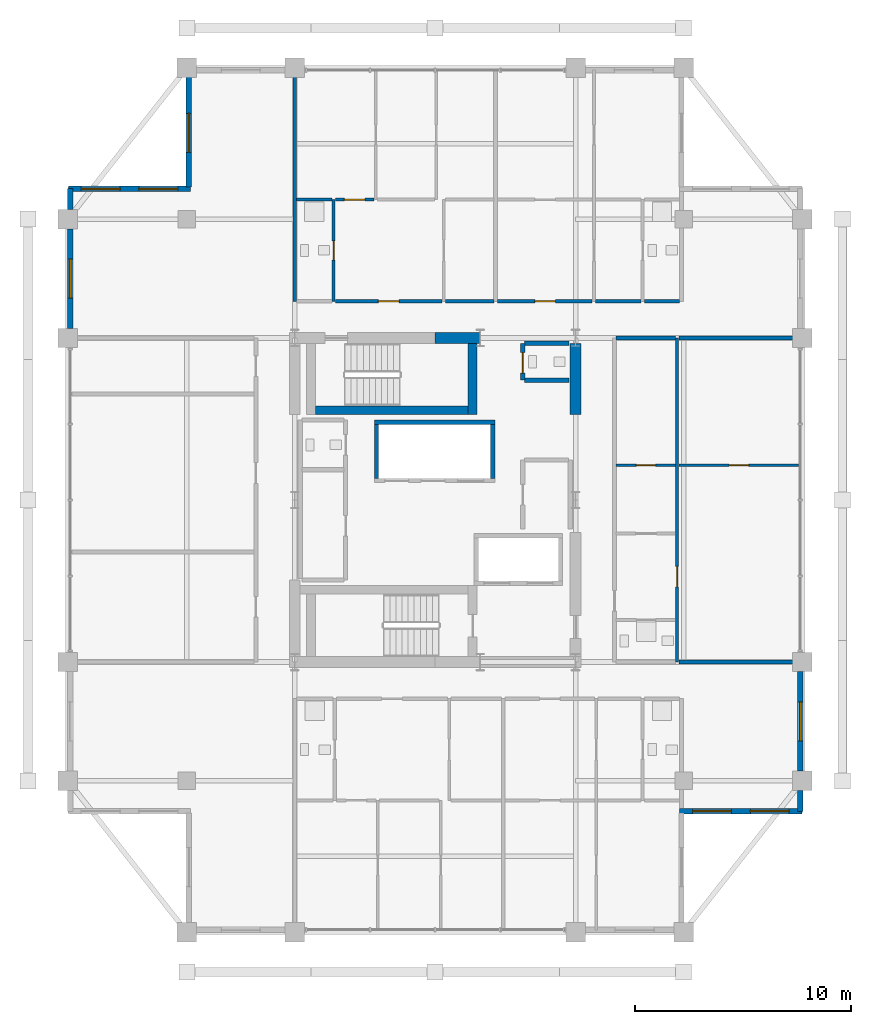
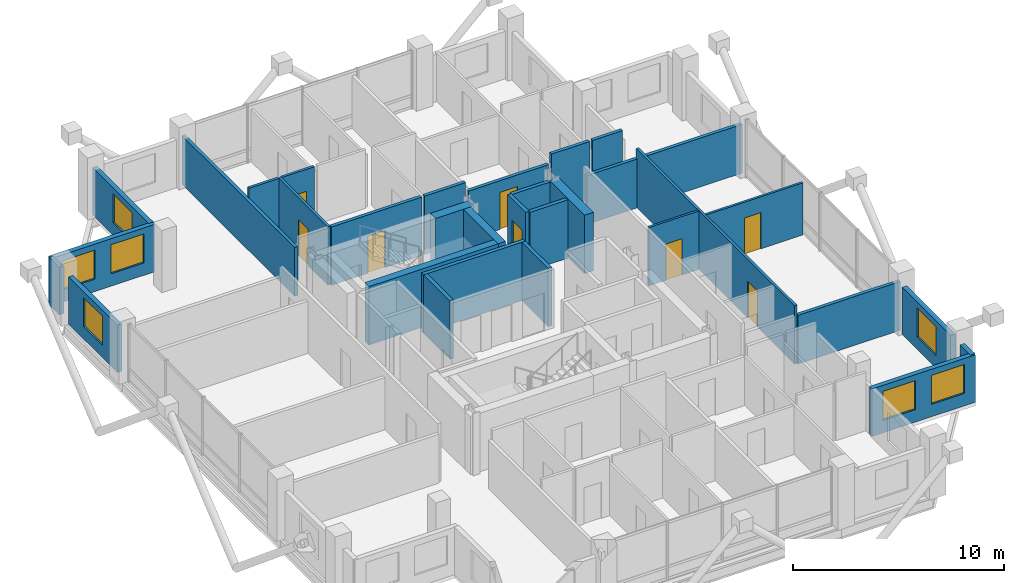
# One storey, part 20 of 23: 32 walls, 8 doors, 7 windows, 15 openings.
"""IFC4 building model written with IfcOpenShell, lengths in metres."""

from ifc_helpers import new_model, si_unit, direction, frame, frame_2d, origin, place, context, subcontext, project, spatial, rectangle, extrude, material, layer, layer_set, type_object, element, fill, save


model = new_model("IFC4")

# Units and contexts
model_context = context("Model", 3, precision=1e-05, world=origin(), true_north=direction((0.0, 1.0)))
body_context = subcontext(model_context, "Body", "Model", "MODEL_VIEW")
ifc_project = project(units=[si_unit("LENGTHUNIT", "METRE"), si_unit("AREAUNIT", "SQUARE_METRE"), si_unit("VOLUMEUNIT", "CUBIC_METRE"), si_unit("PLANEANGLEUNIT", "RADIAN"), si_unit("MASSUNIT", "GRAM", prefix="KILO")], contexts=[model_context])

# Site, building, storey
site_placement = place(None, origin())
site = spatial("IfcSite", under=ifc_project, at=site_placement, CompositionType="ELEMENT")
building_placement = place(site_placement, origin())
building = spatial("IfcBuilding", under=site, at=building_placement, Name="Barlavira Tower and Art Museum", CompositionType="ELEMENT")
storey_placement = place(building_placement, frame((0.0, 0.0, 236.699951171875)))
storey = spatial("IfcBuildingStorey", under=building, at=storey_placement, Name="L61", CompositionType="ELEMENT", Elevation=236.699951171875)

# Wall, opening, door
ifc_material_1 = material(Name="Gypsum acoustic stud partition", Category="gypsum")
ifc_layer_1 = layer(ifc_material_1, 0.1201171875, Name="Gypsum acoustic stud partition")
ifc_layer_set_1 = layer_set([ifc_layer_1], Name="Gypsum acoustic stud partition")
wall_type_1 = type_object("IfcWallType", Name="Apartment Internal Acoustic Partition 120", PredefinedType="PARTITIONING", material=ifc_layer_set_1)
wall_1_placement = place(storey_placement, frame((8.3798828125, 1.60009765625, 0.0), z_axis=(0.0, 0.0, 1.0), x_axis=(1.0, 0.0, 0.0)))
wall_1 = element("IfcWall", 1, at=wall_1_placement, inside=storey, type_object=wall_type_1, Name="L61 Partition Wall 48", PredefinedType="PARTITIONING", context=body_context, shape_type="SweptSolid", body=[
    extrude(rectangle(XDim=2.740234375, YDim=0.1201171875, at=frame_2d((1.3701171875, 0.0))), origin(), (0.0, 0.0, 1.0), 3.380126953125),
])
opening_1_placement = place(wall_1_placement, frame((0.929931640625, 0.0, 0.0)))
opening_1 = element("IfcOpeningElement", 2, at=opening_1_placement, cuts=wall_1, Name="Opening D-01", PredefinedType="OPENING", context=body_context, shape_type="SweptSolid", body=[
    extrude(rectangle(XDim=0.89990234375, YDim=2.10009765625, at=frame_2d((0.449951171875, 1.050048828125))), frame((0.0, 0.070068359375, 0.0), z_axis=(0.0, -1.0, 0.0), x_axis=(1.0, 0.0, 0.0)), (0.0, 0.0, 1.0), 0.14013671875),
])
ifc_material_2 = material(Name="Engineered coastal hardwood", Category="wood")
door_type_1 = type_object("IfcDoorType", Name="Internal Bedroom Timber Flush Door 900x2100", OperationType="NOTDEFINED", PredefinedType="DOOR", material=ifc_material_2)
door_1_placement = place(opening_1_placement, origin())
door_1 = element("IfcDoor", 3, at=door_1_placement, inside=storey, type_object=door_type_1, Name="Apartment E1 Walk-In Dressing Room Door", OperationType="SINGLE_SWING_RIGHT", OverallHeight=2.10009765625, OverallWidth=0.89990234375, PredefinedType="DOOR", context=body_context, shape_type="SweptSolid", body=[
    extrude(rectangle(XDim=0.89990234375, YDim=2.10009765625, at=frame_2d((0.449951171875, 1.050048828125))), frame((0.0, 0.02490234375, 0.0), z_axis=(0.0, -1.0, 0.0), x_axis=(1.0, 0.0, 0.0)), (0.0, 0.0, 1.0), 0.050048828125),
])
fill(opening_1, door_1)

wall_2_placement = place(storey_placement, frame((11.280029296875, 1.60009765625, 0.0), z_axis=(0.0, 0.0, 1.0), x_axis=(1.0, 0.0, 0.0)))
wall_2 = element("IfcWall", 4, at=wall_2_placement, inside=storey, type_object=wall_type_1, Name="L61 Partition Wall 49", PredefinedType="PARTITIONING", context=body_context, shape_type="SweptSolid", body=[
    extrude(rectangle(XDim=5.5400390625, YDim=0.1201171875, at=frame_2d((2.77001953125, 0.0))), origin(), (0.0, 0.0, 1.0), 3.01806640625),
])
opening_2_placement = place(wall_2_placement, frame((2.330078125, 0.0, 0.0)))
opening_2 = element("IfcOpeningElement", 5, at=opening_2_placement, cuts=wall_2, Name="Opening D-01", PredefinedType="OPENING", context=body_context, shape_type="SweptSolid", body=[
    extrude(rectangle(XDim=0.89990234375, YDim=2.10009765625, at=frame_2d((0.449951171875, 1.050048828125))), frame((0.0, 0.070068359375, 0.0), z_axis=(0.0, -1.0, 0.0), x_axis=(1.0, 0.0, 0.0)), (0.0, 0.0, 1.0), 0.14013671875),
])
door_2_placement = place(opening_2_placement, origin())
door_2 = element("IfcDoor", 6, at=door_2_placement, inside=storey, type_object=door_type_1, Name="Apartment E1 Bedroom 1 Door", OperationType="SINGLE_SWING_RIGHT", OverallHeight=2.10009765625, OverallWidth=0.89990234375, PredefinedType="DOOR", context=body_context, shape_type="SweptSolid", body=[
    extrude(rectangle(XDim=0.89990234375, YDim=2.10009765625, at=frame_2d((0.449951171875, 1.050048828125))), frame((0.0, 0.02490234375, 0.0), z_axis=(0.0, -1.0, 0.0), x_axis=(1.0, 0.0, 0.0)), (0.0, 0.0, 1.0), 0.050048828125),
])
fill(opening_2, door_2)

# Walls
ifc_material_3 = material(Name="Concrete C60", Category="concrete")
ifc_layer_2 = layer(ifc_material_3, 0.5, Name="Concrete C60")
ifc_layer_set_2 = layer_set([ifc_layer_2], Name="Concrete C60")
wall_type_2 = type_object("IfcWallType", Name="Core Structural Shear Wall 500 Concrete C60", PredefinedType="SHEAR", material=ifc_layer_set_2)
wall_3_placement = place(storey_placement, frame((0.0, 7.5, 0.0), z_axis=(0.0, 0.0, 1.0), x_axis=(1.0, 0.0, 0.0)))
element("IfcWall", 7, at=wall_3_placement, inside=storey, type_object=wall_type_2, Name="L61 Core Shear Wall CS-EN", PredefinedType="SHEAR", context=body_context, shape_type="SweptSolid", body=[
    extrude(rectangle(XDim=2.080078125, YDim=0.5, at=frame_2d((1.0400390625, 0.0))), origin(), (0.0, 0.0, 1.0), 3.380126953125),
])
wall_4_placement = place(storey_placement, frame((6.5, 3.949951171875, 0.0), z_axis=(0.0, 0.0, 1.0), x_axis=(0.0, 1.0, 0.0)))
element("IfcWall", 8, at=wall_4_placement, inside=storey, type_object=wall_type_2, Name="L61 Core Shear Wall CS-E2", PredefinedType="SHEAR", context=body_context, shape_type="SweptSolid", body=[
    extrude(rectangle(XDim=3.300048828125, YDim=0.5, at=frame_2d((1.64990234375, 0.0))), origin(), (0.0, 0.0, 1.0), 3.380126953125),
])
ifc_material_4 = material(Name="Autoclaved aerated concrete masonry", Category="masonry")
ifc_layer_3 = layer(ifc_material_4, 0.199951171875, Name="Autoclaved aerated concrete masonry")
ifc_layer_set_3 = layer_set([ifc_layer_3], Name="Autoclaved aerated concrete masonry")
wall_type_3 = type_object("IfcWallType", Name="Fire Compartment and Shaft Wall 200", PredefinedType="SOLIDWALL", material=ifc_layer_set_3)
wall_5_placement = place(storey_placement, frame((-2.820068359375, 3.60009765625, 0.0), z_axis=(0.0, 0.0, 1.0), x_axis=(1.0, 0.0, 0.0)))
element("IfcWall", 9, at=wall_5_placement, inside=storey, type_object=wall_type_3, Name="L61 High-Rise & Service Lift Back Wall", PredefinedType="SOLIDWALL", context=body_context, shape_type="SweptSolid", body=[
    extrude(rectangle(XDim=5.580078125, YDim=0.199951171875, at=frame_2d((2.7900390625, 0.0))), origin(), (0.0, 0.0, 1.0), 3.380126953125),
])
for number, where, z_axis, x_axis, name in (
    (10, (-2.719970703125, 1.0, 0.0), (0.0, 0.0, 1.0), (0.0, 1.0, 0.0), "L61 High-Rise & Service Lift West Wall"),
    (11, (2.659912109375, 1.0, 0.0), (0.0, 0.0, 1.0), (0.0, 1.0, 0.0), "L61 High-Rise & Service Lift East Wall"),
):
    element("IfcWall", number, at=place(storey_placement, frame(where, z_axis=z_axis, x_axis=x_axis)), inside=storey, type_object=wall_type_3, Name=name, PredefinedType="SOLIDWALL", context=body_context, shape_type="SweptSolid", body=[
        extrude(rectangle(XDim=2.5, YDim=0.199951171875, at=frame_2d((1.25, 0.0))), origin(), (0.0, 0.0, 1.0), 3.380126953125),
    ])

# Wall, opening, door
wall_6_placement = place(storey_placement, frame((4.050048828125, 5.550048828125, 0.0), z_axis=(0.0, 0.0, 1.0), x_axis=(0.0, 1.0, 0.0)))
wall_6 = element("IfcWall", 12, at=wall_6_placement, inside=storey, type_object=wall_type_3, Name="L61 Partition Wall 17", PredefinedType="SOLIDWALL", context=body_context, shape_type="SweptSolid", body=[
    extrude(rectangle(XDim=1.699951171875, YDim=0.199951171875, at=frame_2d((0.85009765625, 0.0))), origin(), (0.0, 0.0, 1.0), 3.380126953125),
])
opening_3_placement = place(wall_6_placement, frame((0.324951171875, 0.0, 0.0)))
opening_3 = element("IfcOpeningElement", 13, at=opening_3_placement, cuts=wall_6, Name="Opening FD-60", PredefinedType="OPENING", context=body_context, shape_type="SweptSolid", body=[
    extrude(rectangle(XDim=0.949951171875, YDim=2.14990234375, at=frame_2d((0.47509765625, 1.074951171875))), frame((0.0, 0.10986328125, 0.0), z_axis=(0.0, -1.0, 0.0), x_axis=(1.0, 0.0, 0.0)), (0.0, 0.0, 1.0), 0.219970703125),
])
ifc_material_5 = material(Name="Brushed stainless steel", Category="steel")
door_type_2 = type_object("IfcDoorType", Name="Apartment Entrance and Riser Fire Door 950x2150 FD60S", OperationType="NOTDEFINED", PredefinedType="DOOR", material=ifc_material_5)
door_3_placement = place(opening_3_placement, origin())
door_3 = element("IfcDoor", 14, at=door_3_placement, inside=storey, type_object=door_type_2, Name="Core Accessible Washroom Door", OperationType="SINGLE_SWING_LEFT", OverallHeight=2.14990234375, OverallWidth=0.949951171875, PredefinedType="DOOR", context=body_context, shape_type="SweptSolid", body=[
    extrude(rectangle(XDim=0.949951171875, YDim=2.14990234375, at=frame_2d((0.47509765625, 1.074951171875))), frame((0.0, 0.02490234375, 0.0), z_axis=(0.0, -1.0, 0.0), x_axis=(1.0, 0.0, 0.0)), (0.0, 0.0, 1.0), 0.050048828125),
])
fill(opening_3, door_3)

# Walls
for number, where, z_axis, x_axis, name in (
    (15, (4.1298828125, 5.550048828125, 0.0), (0.0, 0.0, 1.0), (1.0, 0.0, 0.0), "L61 Partition Wall 53"),
    (16, (4.1298828125, 7.25, 0.0), (0.0, 0.0, 1.0), (1.0, 0.0, 0.0), "L61 Partition Wall 54"),
):
    element("IfcWall", number, at=place(storey_placement, frame(where, z_axis=z_axis, x_axis=x_axis)), inside=storey, type_object=wall_type_3, Name=name, PredefinedType="SOLIDWALL", context=body_context, shape_type="SweptSolid", body=[
        extrude(rectangle(XDim=2.070068359375, YDim=0.199951171875, at=frame_2d((1.03515625, 0.0))), origin(), (0.0, 0.0, 1.0), 3.380126953125),
    ])
ifc_layer_4 = layer(ifc_material_1, 0.179931640625, Name="Gypsum acoustic stud partition")
ifc_layer_set_4 = layer_set([ifc_layer_4], Name="Gypsum acoustic stud partition")
wall_type_4 = type_object("IfcWallType", Name="Inter-Tenancy Party Partition Wall 180", PredefinedType="PARTITIONING", material=ifc_layer_set_4)
wall_7_placement = place(storey_placement, frame((-6.5, 9.199951171875, 0.0), z_axis=(0.0, 0.0, 1.0), x_axis=(0.0, 1.0, 0.0)))
element("IfcWall", 17, at=wall_7_placement, inside=storey, type_object=wall_type_4, Name="L61 Partition Wall 3", PredefinedType="PARTITIONING", context=body_context, shape_type="SweptSolid", body=[
    extrude(rectangle(XDim=10.699951171875, YDim=0.179931640625, at=frame_2d((5.35009765625, 0.0))), origin(), (0.0, 0.0, 1.0), 2.825927734375),
])
wall_8_placement = place(storey_placement, frame((11.280029296875, -7.5, 0.0), z_axis=(0.0, 0.0, 1.0), x_axis=(1.0, 0.0, 0.0)))
element("IfcWall", 18, at=wall_8_placement, inside=storey, type_object=wall_type_4, Name="L61 Partition Wall 42", PredefinedType="PARTITIONING", context=body_context, shape_type="SweptSolid", body=[
    extrude(rectangle(XDim=5.619873046875, YDim=0.179931640625, at=frame_2d((2.81005859375, 0.0))), origin(), (0.0, 0.0, 1.0), 2.825927734375),
])
wall_9_placement = place(storey_placement, frame((8.3798828125, 7.5, 0.0), z_axis=(0.0, 0.0, 1.0), x_axis=(1.0, 0.0, 0.0)))
element("IfcWall", 19, at=wall_9_placement, inside=storey, type_object=wall_type_4, Name="L61 Partition Wall 56", PredefinedType="PARTITIONING", context=body_context, shape_type="SweptSolid", body=[
    extrude(rectangle(XDim=2.740234375, YDim=0.179931640625, at=frame_2d((1.3701171875, 0.0))), origin(), (0.0, 0.0, 1.0), 2.825927734375),
])
wall_10_placement = place(storey_placement, frame((11.280029296875, 7.5, 0.0), z_axis=(0.0, 0.0, 1.0), x_axis=(1.0, 0.0, 0.0)))
element("IfcWall", 20, at=wall_10_placement, inside=storey, type_object=wall_type_4, Name="L61 Partition Wall 57", PredefinedType="PARTITIONING", context=body_context, shape_type="SweptSolid", body=[
    extrude(rectangle(XDim=5.619873046875, YDim=0.179931640625, at=frame_2d((2.81005859375, 0.0))), origin(), (0.0, 0.0, 1.0), 2.825927734375),
])

# Wall, opening, door
wall_11_placement = place(storey_placement, frame((-4.6201171875, 9.199951171875, 0.0), z_axis=(0.0, 0.0, 1.0), x_axis=(1.0, 0.0, 0.0)))
wall_11 = element("IfcWall", 21, at=wall_11_placement, inside=storey, type_object=wall_type_4, Name="L61 Partition Wall 59", PredefinedType="PARTITIONING", context=body_context, shape_type="SweptSolid", body=[
    extrude(rectangle(XDim=4.940185546875, YDim=0.179931640625, at=frame_2d((2.47021484375, 0.0))), origin(), (0.0, 0.0, 1.0), 3.380126953125),
])
opening_4_placement = place(wall_11_placement, frame((1.9951171875, 0.0, 0.0)))
opening_4 = element("IfcOpeningElement", 22, at=opening_4_placement, cuts=wall_11, Name="Opening FD-60", PredefinedType="OPENING", context=body_context, shape_type="SweptSolid", body=[
    extrude(rectangle(XDim=0.949951171875, YDim=2.14990234375, at=frame_2d((0.47509765625, 1.074951171875))), frame((0.0, 0.10009765625, 0.0), z_axis=(0.0, -1.0, 0.0), x_axis=(1.0, 0.0, 0.0)), (0.0, 0.0, 1.0), 0.199951171875),
])
door_4_placement = place(opening_4_placement, origin())
door_4 = element("IfcDoor", 23, at=door_4_placement, inside=storey, type_object=door_type_2, Name="Apartment Entrance Hall N1 Door", OperationType="SINGLE_SWING_RIGHT", OverallHeight=2.14990234375, OverallWidth=0.949951171875, PredefinedType="DOOR", context=body_context, shape_type="SweptSolid", body=[
    extrude(rectangle(XDim=0.949951171875, YDim=2.14990234375, at=frame_2d((0.47509765625, 1.074951171875))), frame((0.0, 0.02490234375, 0.0), z_axis=(0.0, -1.0, 0.0), x_axis=(1.0, 0.0, 0.0)), (0.0, 0.0, 1.0), 0.050048828125),
])
fill(opening_4, door_4)

# Wall
wall_12_placement = place(storey_placement, frame((0.47998046875, 9.199951171875, 0.0), z_axis=(0.0, 0.0, 1.0), x_axis=(1.0, 0.0, 0.0)))
element("IfcWall", 24, at=wall_12_placement, inside=storey, type_object=wall_type_4, Name="L61 Partition Wall 60", PredefinedType="PARTITIONING", context=body_context, shape_type="SweptSolid", body=[
    extrude(rectangle(XDim=2.239990234375, YDim=0.179931640625, at=frame_2d((1.1201171875, 0.0))), origin(), (0.0, 0.0, 1.0), 3.380126953125),
])

# Wall, opening, door
wall_13_placement = place(storey_placement, frame((2.8798828125, 9.199951171875, 0.0), z_axis=(0.0, 0.0, 1.0), x_axis=(1.0, 0.0, 0.0)))
wall_13 = element("IfcWall", 25, at=wall_13_placement, inside=storey, type_object=wall_type_4, Name="L61 Partition Wall 61", PredefinedType="PARTITIONING", context=body_context, shape_type="SweptSolid", body=[
    extrude(rectangle(XDim=4.39013671875, YDim=0.179931640625, at=frame_2d((2.195068359375, 0.0))), origin(), (0.0, 0.0, 1.0), 2.825927734375),
])
opening_5_placement = place(wall_13_placement, frame((1.735107421875, 0.0, 0.0)))
opening_5 = element("IfcOpeningElement", 26, at=opening_5_placement, cuts=wall_13, Name="Opening FD-60", PredefinedType="OPENING", context=body_context, shape_type="SweptSolid", body=[
    extrude(rectangle(XDim=0.949951171875, YDim=2.14990234375, at=frame_2d((0.47509765625, 1.074951171875))), frame((0.0, 0.10009765625, 0.0), z_axis=(0.0, -1.0, 0.0), x_axis=(1.0, 0.0, 0.0)), (0.0, 0.0, 1.0), 0.199951171875),
])
door_5_placement = place(opening_5_placement, origin())
door_5 = element("IfcDoor", 27, at=door_5_placement, inside=storey, type_object=door_type_2, Name="Apartment Entrance Hall N2 Door", OperationType="SINGLE_SWING_LEFT", OverallHeight=2.14990234375, OverallWidth=0.949951171875, PredefinedType="DOOR", context=body_context, shape_type="SweptSolid", body=[
    extrude(rectangle(XDim=0.949951171875, YDim=2.14990234375, at=frame_2d((0.47509765625, 1.074951171875))), frame((0.0, 0.02490234375, 0.0), z_axis=(0.0, -1.0, 0.0), x_axis=(1.0, 0.0, 0.0)), (0.0, 0.0, 1.0), 0.050048828125),
])
fill(opening_5, door_5)

# Walls
wall_14_placement = place(storey_placement, frame((7.429931640625, 9.199951171875, 0.0), z_axis=(0.0, 0.0, 1.0), x_axis=(1.0, 0.0, 0.0)))
element("IfcWall", 28, at=wall_14_placement, inside=storey, type_object=wall_type_4, Name="L61 Partition Wall 62", PredefinedType="PARTITIONING", context=body_context, shape_type="SweptSolid", body=[
    extrude(rectangle(XDim=2.090087890625, YDim=0.179931640625, at=frame_2d((1.044921875, 0.0))), origin(), (0.0, 0.0, 1.0), 3.380126953125),
])
wall_15_placement = place(storey_placement, frame((9.679931640625, 9.199951171875, 0.0), z_axis=(0.0, 0.0, 1.0), x_axis=(1.0, 0.0, 0.0)))
element("IfcWall", 29, at=wall_15_placement, inside=storey, type_object=wall_type_4, Name="L61 Partition Wall 63", PredefinedType="PARTITIONING", context=body_context, shape_type="SweptSolid", body=[
    extrude(rectangle(XDim=1.64013671875, YDim=0.179931640625, at=frame_2d((0.820068359375, 0.0))), origin(), (0.0, 0.0, 1.0), 3.380126953125),
])

# Wall, opening, door
ifc_layer_5 = layer(ifc_material_1, 0.139892578125, Name="Gypsum acoustic stud partition")
ifc_layer_set_5 = layer_set([ifc_layer_5], Name="Gypsum acoustic stud partition")
wall_type_5 = type_object("IfcWallType", Name="Moisture-Resistant Bathroom Partition 140", PredefinedType="PARTITIONING", material=ifc_layer_set_5)
wall_16_placement = place(storey_placement, frame((-4.699951171875, 9.199951171875, 0.0), z_axis=(0.0, 0.0, 1.0), x_axis=(0.0, 1.0, 0.0)))
wall_16 = element("IfcWall", 30, at=wall_16_placement, inside=storey, type_object=wall_type_5, Name="L61 Partition Wall 5", PredefinedType="PARTITIONING", context=body_context, shape_type="SweptSolid", body=[
    extrude(rectangle(XDim=4.699951171875, YDim=0.139892578125, at=frame_2d((2.35009765625, 0.0))), origin(), (0.0, 0.0, 1.0), 3.380126953125),
])
opening_6_placement = place(wall_16_placement, frame((1.89990234375, 0.0, 0.0)))
opening_6 = element("IfcOpeningElement", 31, at=opening_6_placement, cuts=wall_16, Name="Opening D-WC", PredefinedType="OPENING", context=body_context, shape_type="SweptSolid", body=[
    extrude(rectangle(XDim=0.89990234375, YDim=2.10009765625, at=frame_2d((0.449951171875, 1.050048828125))), frame((0.0, 0.080078125, 0.0), z_axis=(0.0, -1.0, 0.0), x_axis=(1.0, 0.0, 0.0)), (0.0, 0.0, 1.0), 0.159912109375),
])
door_type_3 = type_object("IfcDoorType", Name="Accessible Bathroom Flush Door 900x2100", OperationType="NOTDEFINED", PredefinedType="DOOR", material=ifc_material_2)
door_6_placement = place(opening_6_placement, origin())
door_6 = element("IfcDoor", 32, at=door_6_placement, inside=storey, type_object=door_type_3, Name="Apartment N1 Hall Bathroom Door", OperationType="SINGLE_SWING_LEFT", OverallHeight=2.10009765625, OverallWidth=0.89990234375, PredefinedType="DOOR", context=body_context, shape_type="SweptSolid", body=[
    extrude(rectangle(XDim=0.89990234375, YDim=2.10009765625, at=frame_2d((0.449951171875, 1.050048828125))), frame((0.0, 0.02490234375, 0.0), z_axis=(0.0, -1.0, 0.0), x_axis=(1.0, 0.0, 0.0)), (0.0, 0.0, 1.0), 0.050048828125),
])
fill(opening_6, door_6)

wall_17_placement = place(storey_placement, frame((11.199951171875, -7.5, 0.0), z_axis=(0.0, 0.0, 1.0), x_axis=(0.0, 1.0, 0.0)))
wall_17 = element("IfcWall", 33, at=wall_17_placement, inside=storey, type_object=wall_type_5, Name="L61 Partition Wall 24", PredefinedType="PARTITIONING", context=body_context, shape_type="SweptSolid", body=[
    extrude(rectangle(XDim=15.0, YDim=0.139892578125, at=frame_2d((7.5, 0.0))), origin(), (0.0, 0.0, 1.0), 3.380126953125),
])
opening_7_placement = place(wall_17_placement, frame((3.47509765625, 0.0, 0.0)))
opening_7 = element("IfcOpeningElement", 34, at=opening_7_placement, cuts=wall_17, Name="Opening D-02", PredefinedType="OPENING", context=body_context, shape_type="SweptSolid", body=[
    extrude(rectangle(XDim=0.949951171875, YDim=2.10009765625, at=frame_2d((0.47509765625, 1.050048828125))), frame((0.0, 0.080078125, 0.0), z_axis=(0.0, -1.0, 0.0), x_axis=(1.0, 0.0, 0.0)), (0.0, 0.0, 1.0), 0.159912109375),
])
door_type_4 = type_object("IfcDoorType", Name="Living and Salon Glazed-Leaf Door 950x2100", OperationType="NOTDEFINED", PredefinedType="DOOR", material=ifc_material_2)
door_7_placement = place(opening_7_placement, origin())
door_7 = element("IfcDoor", 35, at=door_7_placement, inside=storey, type_object=door_type_4, Name="Apartment E1 Living Lounge Door", OperationType="SINGLE_SWING_LEFT", OverallHeight=2.10009765625, OverallWidth=0.949951171875, PredefinedType="DOOR", context=body_context, shape_type="SweptSolid", body=[
    extrude(rectangle(XDim=0.949951171875, YDim=2.10009765625, at=frame_2d((0.47509765625, 1.050048828125))), frame((0.0, 0.02490234375, 0.0), z_axis=(0.0, -1.0, 0.0), x_axis=(1.0, 0.0, 0.0)), (0.0, 0.0, 1.0), 0.050048828125),
])
fill(opening_7, door_7)

# Wall
wall_18_placement = place(storey_placement, frame((-6.419921875, 13.89990234375, 0.0), z_axis=(0.0, 0.0, 1.0), x_axis=(1.0, 0.0, 0.0)))
element("IfcWall", 36, at=wall_18_placement, inside=storey, type_object=wall_type_5, Name="L61 Partition Wall 64", PredefinedType="PARTITIONING", context=body_context, shape_type="SweptSolid", body=[
    extrude(rectangle(XDim=1.639892578125, YDim=0.139892578125, at=frame_2d((0.81982421875, 0.0))), origin(), (0.0, 0.0, 1.0), 3.380126953125),
])

# Wall, opening, door
wall_19_placement = place(storey_placement, frame((-4.6201171875, 13.89990234375, 0.0), z_axis=(0.0, 0.0, 1.0), x_axis=(1.0, 0.0, 0.0)))
wall_19 = element("IfcWall", 37, at=wall_19_placement, inside=storey, type_object=wall_type_5, Name="L61 Partition Wall 65", PredefinedType="PARTITIONING", context=body_context, shape_type="SweptSolid", body=[
    extrude(rectangle(XDim=1.7900390625, YDim=0.139892578125, at=frame_2d((0.89501953125, 0.0))), origin(), (0.0, 0.0, 1.0), 3.380126953125),
])
opening_8_placement = place(wall_19_placement, frame((0.4150390625, 0.0, 0.0)))
opening_8 = element("IfcOpeningElement", 38, at=opening_8_placement, cuts=wall_19, Name="Opening D-02", PredefinedType="OPENING", context=body_context, shape_type="SweptSolid", body=[
    extrude(rectangle(XDim=0.949951171875, YDim=2.10009765625, at=frame_2d((0.47509765625, 1.050048828125))), frame((0.0, 0.080078125, 0.0), z_axis=(0.0, -1.0, 0.0), x_axis=(1.0, 0.0, 0.0)), (0.0, 0.0, 1.0), 0.159912109375),
])
door_8_placement = place(opening_8_placement, origin())
door_8 = element("IfcDoor", 39, at=door_8_placement, inside=storey, type_object=door_type_4, Name="Apartment N1 Living Lounge Door", OperationType="SINGLE_SWING_RIGHT", OverallHeight=2.10009765625, OverallWidth=0.949951171875, PredefinedType="DOOR", context=body_context, shape_type="SweptSolid", body=[
    extrude(rectangle(XDim=0.949951171875, YDim=2.10009765625, at=frame_2d((0.47509765625, 1.050048828125))), frame((0.0, 0.02490234375, 0.0), z_axis=(0.0, -1.0, 0.0), x_axis=(1.0, 0.0, 0.0)), (0.0, 0.0, 1.0), 0.050048828125),
])
fill(opening_8, door_8)

# Wall
ifc_material_6 = material(Name="Precast concrete C40", Category="concrete")
ifc_layer_6 = layer(ifc_material_6, 0.25, Name="Precast concrete C40")
ifc_layer_set_6 = layer_set([ifc_layer_6], Name="Precast concrete C40")
wall_type_6 = type_object("IfcWallType", Name="Notched Corner Spandrel Wall 250 Precast Concrete C40", PredefinedType="SOLIDWALL", material=ifc_layer_set_6)
wall_20_placement = place(storey_placement, frame((-16.89990234375, 14.425048828125, 0.0), z_axis=(0.0, 0.0, 1.0), x_axis=(0.0, -1.0, 0.0)))
element("IfcWall", 40, at=wall_20_placement, inside=storey, type_object=wall_type_6, Name="L61 Coastal Facade Pier Wall CW4-L61-W-1", PredefinedType="SOLIDWALL", context=body_context, shape_type="SweptSolid", body=[
    extrude(rectangle(XDim=0.97998046875, YDim=0.25, at=frame_2d((0.489990234375, 0.0))), origin(), (0.0, 0.0, 1.0), 2.748046875),
])

# Wall, opening, window
wall_21_placement = place(storey_placement, frame((-16.89990234375, 12.554931640625, 0.0), z_axis=(0.0, 0.0, 1.0), x_axis=(0.0, -1.0, 0.0)))
wall_21 = element("IfcWall", 41, at=wall_21_placement, inside=storey, type_object=wall_type_6, Name="L61 Coastal Facade Pier Wall CW4-L61-W-2", PredefinedType="SOLIDWALL", context=body_context, shape_type="SweptSolid", body=[
    extrude(rectangle(XDim=4.60986328125, YDim=0.25, at=frame_2d((2.304931640625, 0.0))), origin(), (0.0, 0.0, 1.0), 2.748046875),
])
opening_9_placement = place(wall_21_placement, frame((1.405029296875, 0.0, 0.719970703125)))
opening_9 = element("IfcOpeningElement", 42, at=opening_9_placement, cuts=wall_21, Name="Opening WN-01", PredefinedType="OPENING", context=body_context, shape_type="SweptSolid", body=[
    extrude(rectangle(XDim=1.800048828125, YDim=1.679931640625, at=frame_2d((0.89990234375, 0.83984375))), frame((0.0, 0.135009765625, 0.0), z_axis=(0.0, -1.0, 0.0), x_axis=(1.0, 0.0, 0.0)), (0.0, 0.0, 1.0), 0.27001953125),
])
ifc_material_7 = material(Name="Low-iron coastal laminated glass", Category="glass")
window_type = type_object("IfcWindowType", Name="Recessed Notch Corner Punch Window 1800x1680", PartitioningType="SINGLE_PANEL", PredefinedType="WINDOW", material=ifc_material_7)
window_1_placement = place(opening_9_placement, origin())
window_1 = element("IfcWindow", 43, at=window_1_placement, inside=storey, type_object=window_type, Name="L61 Punched Facade Window EWP-CW4-L61-W-2-1", OverallHeight=1.679931640625, OverallWidth=1.800048828125, PartitioningType="SINGLE_PANEL", PredefinedType="WINDOW", context=body_context, shape_type="SweptSolid", body=[
    extrude(rectangle(XDim=1.800048828125, YDim=1.679931640625, at=frame_2d((0.89990234375, 0.83984375))), frame((0.0, 0.030029296875, 0.0), z_axis=(0.0, -1.0, 0.0), x_axis=(1.0, 0.0, 0.0)), (0.0, 0.0, 1.0), 0.06005859375),
])
fill(opening_9, window_1)

# Wall
wall_22_placement = place(storey_placement, frame((16.89990234375, -14.425048828125, 0.0), z_axis=(0.0, 0.0, 1.0), x_axis=(0.0, 1.0, 0.0)))
element("IfcWall", 44, at=wall_22_placement, inside=storey, type_object=wall_type_6, Name="L61 Coastal Facade Pier Wall CW4-L61-E-1", PredefinedType="SOLIDWALL", context=body_context, shape_type="SweptSolid", body=[
    extrude(rectangle(XDim=0.97998046875, YDim=0.25, at=frame_2d((0.489990234375, 0.0))), origin(), (0.0, 0.0, 1.0), 2.748046875),
])

# Wall, opening, window
wall_23_placement = place(storey_placement, frame((16.89990234375, -12.554931640625, 0.0), z_axis=(0.0, 0.0, 1.0), x_axis=(0.0, 1.0, 0.0)))
wall_23 = element("IfcWall", 45, at=wall_23_placement, inside=storey, type_object=wall_type_6, Name="L61 Coastal Facade Pier Wall CW4-L61-E-2", PredefinedType="SOLIDWALL", context=body_context, shape_type="SweptSolid", body=[
    extrude(rectangle(XDim=4.60986328125, YDim=0.25, at=frame_2d((2.304931640625, 0.0))), origin(), (0.0, 0.0, 1.0), 2.748046875),
])
opening_10_placement = place(wall_23_placement, frame((1.405029296875, 0.0, 0.719970703125)))
opening_10 = element("IfcOpeningElement", 46, at=opening_10_placement, cuts=wall_23, Name="Opening WN-01", PredefinedType="OPENING", context=body_context, shape_type="SweptSolid", body=[
    extrude(rectangle(XDim=1.800048828125, YDim=1.679931640625, at=frame_2d((0.89990234375, 0.83984375))), frame((0.0, 0.135009765625, 0.0), z_axis=(0.0, -1.0, 0.0), x_axis=(1.0, 0.0, 0.0)), (0.0, 0.0, 1.0), 0.27001953125),
])
window_2_placement = place(opening_10_placement, origin())
window_2 = element("IfcWindow", 47, at=window_2_placement, inside=storey, type_object=window_type, Name="L61 Punched Facade Window EWP-CW4-L61-E-2-1", OverallHeight=1.679931640625, OverallWidth=1.800048828125, PartitioningType="SINGLE_PANEL", PredefinedType="WINDOW", context=body_context, shape_type="SweptSolid", body=[
    extrude(rectangle(XDim=1.800048828125, YDim=1.679931640625, at=frame_2d((0.89990234375, 0.83984375))), frame((0.0, 0.030029296875, 0.0), z_axis=(0.0, -1.0, 0.0), x_axis=(1.0, 0.0, 0.0)), (0.0, 0.0, 1.0), 0.06005859375),
])
fill(opening_10, window_2)

# Wall, openings, windows
wall_24_placement = place(storey_placement, frame((11.320068359375, -14.39990234375, 0.0), z_axis=(0.0, 0.0, 1.0), x_axis=(1.0, 0.0, 0.0)))
wall_24 = element("IfcWall", 48, at=wall_24_placement, inside=storey, type_object=wall_type_6, Name="L61 Notch Corner Wall SE2", PredefinedType="SOLIDWALL", context=body_context, shape_type="SweptSolid", body=[
    extrude(rectangle(XDim=5.659912109375, YDim=0.25, at=frame_2d((2.830078125, 0.0))), origin(), (0.0, 0.0, 1.0), 2.748046875),
])
opening_11_placement = place(wall_24_placement, frame((0.594970703125, 0.0, 0.719970703125)))
opening_11 = element("IfcOpeningElement", 49, at=opening_11_placement, cuts=wall_24, Name="Opening WN-01", PredefinedType="OPENING", context=body_context, shape_type="SweptSolid", body=[
    extrude(rectangle(XDim=1.800048828125, YDim=1.679931640625, at=frame_2d((0.89990234375, 0.83984375))), frame((0.0, 0.135009765625, 0.0), z_axis=(0.0, -1.0, 0.0), x_axis=(1.0, 0.0, 0.0)), (0.0, 0.0, 1.0), 0.27001953125),
])
opening_12_placement = place(wall_24_placement, frame((3.264892578125, 0.0, 0.719970703125)))
opening_12 = element("IfcOpeningElement", 50, at=opening_12_placement, cuts=wall_24, Name="Opening WN-01", PredefinedType="OPENING", context=body_context, shape_type="SweptSolid", body=[
    extrude(rectangle(XDim=1.800048828125, YDim=1.679931640625, at=frame_2d((0.89990234375, 0.83984375))), frame((0.0, 0.135009765625, 0.0), z_axis=(0.0, -1.0, 0.0), x_axis=(1.0, 0.0, 0.0)), (0.0, 0.0, 1.0), 0.27001953125),
])
window_3_placement = place(opening_11_placement, origin())
window_3 = element("IfcWindow", 51, at=window_3_placement, inside=storey, type_object=window_type, Name="L61 Punched Facade Window EW-NTC-L61-SE2-1", OverallHeight=1.679931640625, OverallWidth=1.800048828125, PartitioningType="SINGLE_PANEL", PredefinedType="WINDOW", context=body_context, shape_type="SweptSolid", body=[
    extrude(rectangle(XDim=1.800048828125, YDim=1.679931640625, at=frame_2d((0.89990234375, 0.83984375))), frame((0.0, 0.030029296875, 0.0), z_axis=(0.0, -1.0, 0.0), x_axis=(1.0, 0.0, 0.0)), (0.0, 0.0, 1.0), 0.06005859375),
])
fill(opening_11, window_3)
window_4_placement = place(opening_12_placement, origin())
window_4 = element("IfcWindow", 52, at=window_4_placement, inside=storey, type_object=window_type, Name="L61 Punched Facade Window EW-NTC-L61-SE2-2", OverallHeight=1.679931640625, OverallWidth=1.800048828125, PartitioningType="SINGLE_PANEL", PredefinedType="WINDOW", context=body_context, shape_type="SweptSolid", body=[
    extrude(rectangle(XDim=1.800048828125, YDim=1.679931640625, at=frame_2d((0.89990234375, 0.83984375))), frame((0.0, 0.030029296875, 0.0), z_axis=(0.0, -1.0, 0.0), x_axis=(1.0, 0.0, 0.0)), (0.0, 0.0, 1.0), 0.06005859375),
])
fill(opening_12, window_4)

# Wall, opening, window
wall_25_placement = place(storey_placement, frame((-11.39990234375, 19.820068359375, 0.0), z_axis=(0.0, 0.0, 1.0), x_axis=(0.0, -1.0, 0.0)))
wall_25 = element("IfcWall", 53, at=wall_25_placement, inside=storey, type_object=wall_type_6, Name="L61 Notch Corner Wall NW1", PredefinedType="SOLIDWALL", context=body_context, shape_type="SweptSolid", body=[
    extrude(rectangle(XDim=5.340087890625, YDim=0.25, at=frame_2d((2.669921875, 0.0))), origin(), (0.0, 0.0, 1.0), 2.748046875),
])
opening_13_placement = place(wall_25_placement, frame((1.925048828125, 0.0, 0.719970703125)))
opening_13 = element("IfcOpeningElement", 54, at=opening_13_placement, cuts=wall_25, Name="Opening WN-01", PredefinedType="OPENING", context=body_context, shape_type="SweptSolid", body=[
    extrude(rectangle(XDim=1.800048828125, YDim=1.679931640625, at=frame_2d((0.89990234375, 0.83984375))), frame((0.0, 0.135009765625, 0.0), z_axis=(0.0, -1.0, 0.0), x_axis=(1.0, 0.0, 0.0)), (0.0, 0.0, 1.0), 0.27001953125),
])
window_5_placement = place(opening_13_placement, origin())
window_5 = element("IfcWindow", 55, at=window_5_placement, inside=storey, type_object=window_type, Name="L61 Punched Facade Window EW-NTC-L61-NW1-1", OverallHeight=1.679931640625, OverallWidth=1.800048828125, PartitioningType="SINGLE_PANEL", PredefinedType="WINDOW", context=body_context, shape_type="SweptSolid", body=[
    extrude(rectangle(XDim=1.800048828125, YDim=1.679931640625, at=frame_2d((0.89990234375, 0.83984375))), frame((0.0, 0.030029296875, 0.0), z_axis=(0.0, -1.0, 0.0), x_axis=(1.0, 0.0, 0.0)), (0.0, 0.0, 1.0), 0.06005859375),
])
fill(opening_13, window_5)

# Wall, openings, windows
wall_26_placement = place(storey_placement, frame((-11.320068359375, 14.39990234375, 0.0), z_axis=(0.0, 0.0, 1.0), x_axis=(-1.0, 0.0, 0.0)))
wall_26 = element("IfcWall", 56, at=wall_26_placement, inside=storey, type_object=wall_type_6, Name="L61 Notch Corner Wall NW2", PredefinedType="SOLIDWALL", context=body_context, shape_type="SweptSolid", body=[
    extrude(rectangle(XDim=5.659912109375, YDim=0.25, at=frame_2d((2.830078125, 0.0))), origin(), (0.0, 0.0, 1.0), 2.748046875),
])
opening_14_placement = place(wall_26_placement, frame((0.594970703125, 0.0, 0.719970703125)))
opening_14 = element("IfcOpeningElement", 57, at=opening_14_placement, cuts=wall_26, Name="Opening WN-01", PredefinedType="OPENING", context=body_context, shape_type="SweptSolid", body=[
    extrude(rectangle(XDim=1.800048828125, YDim=1.679931640625, at=frame_2d((0.89990234375, 0.83984375))), frame((0.0, 0.135009765625, 0.0), z_axis=(0.0, -1.0, 0.0), x_axis=(1.0, 0.0, 0.0)), (0.0, 0.0, 1.0), 0.27001953125),
])
opening_15_placement = place(wall_26_placement, frame((3.264892578125, 0.0, 0.719970703125)))
opening_15 = element("IfcOpeningElement", 58, at=opening_15_placement, cuts=wall_26, Name="Opening WN-01", PredefinedType="OPENING", context=body_context, shape_type="SweptSolid", body=[
    extrude(rectangle(XDim=1.800048828125, YDim=1.679931640625, at=frame_2d((0.89990234375, 0.83984375))), frame((0.0, 0.135009765625, 0.0), z_axis=(0.0, -1.0, 0.0), x_axis=(1.0, 0.0, 0.0)), (0.0, 0.0, 1.0), 0.27001953125),
])
window_6_placement = place(opening_14_placement, origin())
window_6 = element("IfcWindow", 59, at=window_6_placement, inside=storey, type_object=window_type, Name="L61 Punched Facade Window EW-NTC-L61-NW2-1", OverallHeight=1.679931640625, OverallWidth=1.800048828125, PartitioningType="SINGLE_PANEL", PredefinedType="WINDOW", context=body_context, shape_type="SweptSolid", body=[
    extrude(rectangle(XDim=1.800048828125, YDim=1.679931640625, at=frame_2d((0.89990234375, 0.83984375))), frame((0.0, 0.030029296875, 0.0), z_axis=(0.0, -1.0, 0.0), x_axis=(1.0, 0.0, 0.0)), (0.0, 0.0, 1.0), 0.06005859375),
])
fill(opening_14, window_6)
window_7_placement = place(opening_15_placement, origin())
window_7 = element("IfcWindow", 60, at=window_7_placement, inside=storey, type_object=window_type, Name="L61 Punched Facade Window EW-NTC-L61-NW2-2", OverallHeight=1.679931640625, OverallWidth=1.800048828125, PartitioningType="SINGLE_PANEL", PredefinedType="WINDOW", context=body_context, shape_type="SweptSolid", body=[
    extrude(rectangle(XDim=1.800048828125, YDim=1.679931640625, at=frame_2d((0.89990234375, 0.83984375))), frame((0.0, 0.030029296875, 0.0), z_axis=(0.0, -1.0, 0.0), x_axis=(1.0, 0.0, 0.0)), (0.0, 0.0, 1.0), 0.06005859375),
])
fill(opening_15, window_7)

# Walls
ifc_material_8 = material(Name="Concrete C55", Category="concrete")
ifc_layer_7 = layer(ifc_material_8, 0.39990234375, Name="Concrete C55")
ifc_layer_set_7 = layer_set([ifc_layer_7], Name="Concrete C55")
wall_type_7 = type_object("IfcWallType", Name="Upper Core Shear Wall 400 Concrete C55", PredefinedType="SHEAR", material=ifc_layer_set_7)
wall_27_placement = place(storey_placement, frame((-5.550048828125, 4.14990234375, 0.0), z_axis=(0.0, 0.0, 1.0), x_axis=(1.0, 0.0, 0.0)))
element("IfcWall", 61, at=wall_27_placement, inside=storey, type_object=wall_type_7, Name="L61 ST-T2 South Shaft Wall", PredefinedType="SHEAR", context=body_context, shape_type="SweptSolid", body=[
    extrude(rectangle(XDim=7.080078125, YDim=0.39990234375, at=frame_2d((3.5400390625, 0.0))), origin(), (0.0, 0.0, 1.0), 3.380126953125),
])
wall_28_placement = place(storey_placement, frame((1.72998046875, 3.949951171875, 0.0), z_axis=(0.0, 0.0, 1.0), x_axis=(0.0, 1.0, 0.0)))
element("IfcWall", 62, at=wall_28_placement, inside=storey, type_object=wall_type_7, Name="L61 ST-T2 East Half-Landing Wall", PredefinedType="SHEAR", context=body_context, shape_type="SweptSolid", body=[
    extrude(rectangle(XDim=3.300048828125, YDim=0.39990234375, at=frame_2d((1.64990234375, 0.0))), origin(), (0.0, 0.0, 1.0), 3.380126953125),
])

save(model, "model.ifc")
